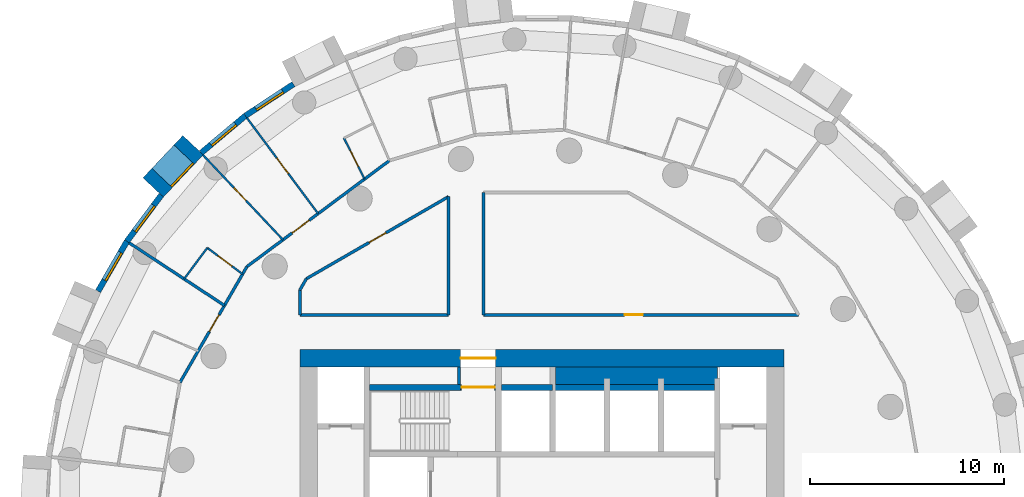
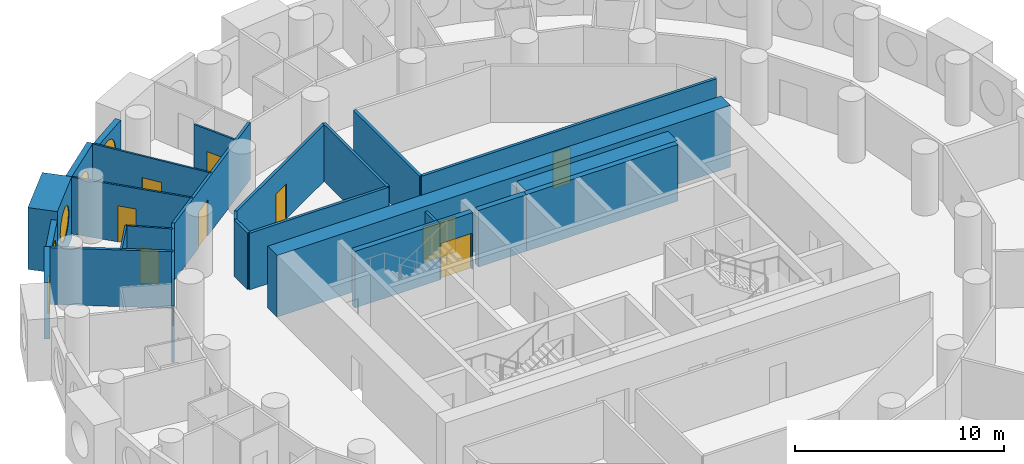
# One storey, part 6 of 10: 27 walls, 10 doors, 5 windows, 15 openings.
"""IFC4 building model written with IfcOpenShell, lengths in metres."""

from ifc_helpers import new_model, si_unit, direction, frame, frame_2d, origin, origin_2d, place, context, subcontext, project, spatial, rectangle, circle, extrude, material, layer, layer_set, type_object, element, fill, save


model = new_model("IFC4")

# Units and contexts
model_context = context("Model", 3, precision=1e-05, world=origin(), true_north=direction((0.0, 1.0)))
body_context = subcontext(model_context, "Body", "Model", "MODEL_VIEW")
ifc_project = project(units=[si_unit("LENGTHUNIT", "METRE"), si_unit("AREAUNIT", "SQUARE_METRE"), si_unit("VOLUMEUNIT", "CUBIC_METRE"), si_unit("PLANEANGLEUNIT", "RADIAN"), si_unit("MASSUNIT", "GRAM", prefix="KILO")], contexts=[model_context])

# Site, building, storey
site_placement = place(None, origin())
site = spatial("IfcSite", under=ifc_project, at=site_placement, CompositionType="ELEMENT")
building_placement = place(site_placement, origin())
building = spatial("IfcBuilding", under=site, at=building_placement, Name="Tracery Tower", CompositionType="ELEMENT")
storey_placement = place(building_placement, frame((0.0, 0.0, 136.800048828125)))
storey = spatial("IfcBuildingStorey", under=building, at=storey_placement, Name="L34", CompositionType="ELEMENT", Elevation=136.800048828125)

# Walls
ifc_material_1 = material(Name="Plasterboard on steel studs", Category="steel")
ifc_layer_1 = layer(ifc_material_1, 0.14990234375)
ifc_layer_set_1 = layer_set([ifc_layer_1], Name="Core room partition 150")
wall_type_1 = type_object("IfcWallType", Name="Core room partition 150", PredefinedType="SOLIDWALL", material=ifc_layer_set_1)
wall_1_placement = place(storey_placement, frame((-4.27490234375, 6.699951171875, 0.0), z_axis=(0.0, 0.0, 1.0), x_axis=(0.0, 1.0, 0.0)))
element("IfcWall", 1, at=wall_1_placement, inside=storey, type_object=wall_type_1, Name="L34 F N room", PredefinedType="SOLIDWALL", context=body_context, shape_type="SweptSolid", body=[
    extrude(rectangle(XDim=0.900146484375, YDim=0.14990234375, at=frame_2d((0.4501953125, 0.0))), origin(), (0.0, 0.0, 1.0), 3.300048828125),
])
ifc_material_2 = material(Name="Concrete C50/60", Category="concrete")
ifc_layer_2 = layer(ifc_material_2, 0.89990234375)
ifc_layer_set_2 = layer_set([ifc_layer_2], Name="Core strip wall 900 C50")
wall_type_2 = type_object("IfcWallType", Name="Core strip wall 900 C50", PredefinedType="SOLIDWALL", material=ifc_layer_set_2)
wall_2_placement = place(storey_placement, frame((0.699951171875, 7.14990234375, 0.0), z_axis=(0.0, 0.0, 1.0), x_axis=(1.0, 0.0, 0.0)))
element("IfcWall", 2, at=wall_2_placement, inside=storey, type_object=wall_type_2, Name="L34 F thick N E", PredefinedType="SOLIDWALL", context=body_context, shape_type="SweptSolid", body=[
    extrude(rectangle(XDim=8.35009765625, YDim=0.89990234375, at=frame_2d((4.175048828125, 0.0))), origin(), (0.0, 0.0, 1.0), 3.300048828125),
])

# Wall, opening, door
ifc_material_3 = material(Name="Concrete C50/60", Category="concrete")
ifc_layer_3 = layer(ifc_material_3, 0.89990234375)
ifc_layer_set_3 = layer_set([ifc_layer_3], Name="Core wall 900 C50")
wall_type_3 = type_object("IfcWallType", Name="Core wall 900 C50", PredefinedType="SOLIDWALL", material=ifc_layer_set_3)
wall_3_placement = place(storey_placement, frame((-12.5, 8.050048828125, 0.0), z_axis=(0.0, 0.0, 1.0), x_axis=(1.0, 0.0, 0.0)))
wall_3 = element("IfcWall", 3, at=wall_3_placement, inside=storey, type_object=wall_type_3, Name="L34 outer N", PredefinedType="SOLIDWALL", context=body_context, shape_type="SweptSolid", body=[
    extrude(rectangle(XDim=25.0, YDim=0.89990234375, at=frame_2d((12.5, 0.0))), origin(), (0.0, 0.0, 1.0), 3.599853515625),
])
opening_1_placement = place(wall_3_placement, frame((8.300048828125, 0.0, 0.0)))
opening_1 = element("IfcOpeningElement", 4, at=opening_1_placement, cuts=wall_3, Name="Opening KD13", PredefinedType="OPENING", context=body_context, shape_type="SweptSolid", body=[
    extrude(rectangle(XDim=1.800048828125, YDim=2.10009765625, at=frame_2d((0.89990234375, 1.050048828125))), frame((0.0, 0.449951171875, 0.0), z_axis=(0.0, -1.0, 0.0), x_axis=(1.0, 0.0, 0.0)), (0.0, 0.0, 1.0), 0.89990234375),
])
ifc_material_4 = material(Name="Steel fire door", Category="steel")
door_type_1 = type_object("IfcDoorType", Name="Core exit door 1800 double", OperationType="NOTDEFINED", PredefinedType="DOOR", material=ifc_material_4)
door_1_placement = place(opening_1_placement, origin())
door_1 = element("IfcDoor", 5, at=door_1_placement, inside=storey, type_object=door_type_1, Name="Core exit door", OperationType="DOUBLE_DOOR_SINGLE_SWING", OverallHeight=2.10009765625, OverallWidth=1.800048828125, PredefinedType="DOOR", context=body_context, shape_type="SweptSolid", body=[
    extrude(rectangle(XDim=1.800048828125, YDim=2.10009765625, at=frame_2d((0.89990234375, 1.050048828125))), frame((0.0, 0.02490234375, 0.0), z_axis=(0.0, -1.0, 0.0), x_axis=(1.0, 0.0, 0.0)), (0.0, 0.0, 1.0), 0.050048828125),
])
fill(opening_1, door_1)

# Wall, opening, window
ifc_material_5 = material(Name="Precast concrete C50/60", Category="concrete")
ifc_layer_4 = layer(ifc_material_5, 1.449951171875)
ifc_layer_set_4 = layer_set([ifc_layer_4], Name="Deep-set bay unit 3000 x 3600, slab edge 300")
wall_type_4 = type_object("IfcWallType", Name="Deep-set bay unit 3000 x 3600, slab edge 300", PredefinedType="ELEMENTEDWALL", material=ifc_layer_set_4)
wall_4_placement = place(storey_placement, frame((-18.0126953125, 19.05615234375, -0.300048828125), z_axis=(0.0, 0.0, 1.0), x_axis=(-0.686217177108, -0.727396718334, 0.0)))
wall_4 = element("IfcWall", 6, at=wall_4_placement, inside=storey, type_object=wall_type_4, Name="Deep-set bay unit 21 at L34", PredefinedType="ELEMENTEDWALL", context=body_context, shape_type="SweptSolid", body=[
    extrude(rectangle(XDim=3.0, YDim=1.449951171875, at=frame_2d((1.5, 0.0))), origin(), (0.0, 0.0, 1.0), 3.60009765625),
])
opening_2_placement = place(wall_4_placement, frame((1.5, 0.0, 1.85009765625)))
opening_2 = element("IfcOpeningElement", 7, at=opening_2_placement, cuts=wall_4, Name="Opening WN1", PredefinedType="OPENING", context=body_context, shape_type="SweptSolid", body=[
    extrude(circle(Radius=0.9000244140625, at=origin_2d()), frame((0.0, 0.73486328125, 0.0), z_axis=(0.0, -1.0, 0.0), x_axis=(1.0, 0.0, 0.0)), (0.0, 0.0, 1.0), 1.469970703125),
])
ifc_material_6 = material(Name="Aluminium frame with tinted double glazing", Category="aluminium")
window_type = type_object("IfcWindowType", Name="Round window 1800", PartitioningType="SINGLE_PANEL", PredefinedType="WINDOW", material=ifc_material_6)
window_1_placement = place(opening_2_placement, origin())
window_1 = element("IfcWindow", 8, at=window_1_placement, inside=storey, type_object=window_type, Name="Round window 21 at L34", OverallHeight=1.800048828125, OverallWidth=1.800048828125, PartitioningType="SINGLE_PANEL", PredefinedType="WINDOW", context=body_context, shape_type="SweptSolid", body=[
    extrude(circle(Radius=0.9000244140625, at=origin_2d()), frame((0.0, 0.69482421875, 0.0), z_axis=(0.0, -1.0, 0.0), x_axis=(1.0, 0.0, 0.0)), (0.0, 0.0, 1.0), 0.10009765625),
])
fill(opening_2, window_1)

ifc_material_7 = material(Name="Precast concrete C50/60", Category="concrete")
ifc_layer_5 = layer(ifc_material_7, 0.300048828125)
ifc_layer_set_5 = layer_set([ifc_layer_5], Name="Facade panel 3000 x 2800")
wall_type_5 = type_object("IfcWallType", Name="Facade panel 3000 x 2800", PredefinedType="SOLIDWALL", material=ifc_layer_set_5)
wall_5_placement = place(storey_placement, frame((-12.831787109375, 22.2060546875, 0.0), z_axis=(0.0, 0.0, 1.0), x_axis=(-0.835508361394, -0.54947773207, 0.0)))
wall_5 = element("IfcWall", 9, at=wall_5_placement, inside=storey, type_object=wall_type_5, Name="Facade panel 19 at L34", PredefinedType="SOLIDWALL", context=body_context, shape_type="SweptSolid", body=[
    extrude(rectangle(XDim=2.972900390625, YDim=0.300048828125, at=frame_2d((1.486328125, 0.0))), origin(), (0.0, 0.0, 1.0), 2.800048828125),
])
opening_3_placement = place(wall_5_placement, frame((1.486328125, 0.0, 1.5498046875)))
opening_3 = element("IfcOpeningElement", 10, at=opening_3_placement, cuts=wall_5, Name="Opening WN1", PredefinedType="OPENING", context=body_context, shape_type="SweptSolid", body=[
    extrude(circle(Radius=0.9000244140625, at=origin_2d()), frame((0.0, 0.159912109375, 0.0), z_axis=(0.0, -1.0, 0.0), x_axis=(1.0, 0.0, 0.0)), (0.0, 0.0, 1.0), 0.320068359375),
])
window_2_placement = place(opening_3_placement, origin())
window_2 = element("IfcWindow", 11, at=window_2_placement, inside=storey, type_object=window_type, Name="Round window 19 at L34", OverallHeight=1.800048828125, OverallWidth=1.800048828125, PartitioningType="SINGLE_PANEL", PredefinedType="WINDOW", context=body_context, shape_type="SweptSolid", body=[
    extrude(circle(Radius=0.9000244140625, at=origin_2d()), frame((0.0, 0.1201171875, 0.0), z_axis=(0.0, -1.0, 0.0), x_axis=(1.0, 0.0, 0.0)), (0.0, 0.0, 1.0), 0.10009765625),
])
fill(opening_3, window_2)

wall_6_placement = place(storey_placement, frame((-19.65283203125, 16.47802734375, 0.0), z_axis=(0.0, 0.0, 1.0), x_axis=(-0.597197580538, -0.80209416517, 0.0)))
wall_6 = element("IfcWall", 12, at=wall_6_placement, inside=storey, type_object=wall_type_5, Name="Facade panel 22 at L34", PredefinedType="SOLIDWALL", context=body_context, shape_type="SweptSolid", body=[
    extrude(rectangle(XDim=2.972900390625, YDim=0.300048828125, at=frame_2d((1.486328125, 0.0))), origin(), (0.0, 0.0, 1.0), 2.800048828125),
])
opening_4_placement = place(wall_6_placement, frame((1.486328125, 0.0, 1.5498046875)))
opening_4 = element("IfcOpeningElement", 13, at=opening_4_placement, cuts=wall_6, Name="Opening WN1", PredefinedType="OPENING", context=body_context, shape_type="SweptSolid", body=[
    extrude(circle(Radius=0.9000244140625, at=origin_2d()), frame((0.0, 0.159912109375, 0.0), z_axis=(0.0, -1.0, 0.0), x_axis=(1.0, 0.0, 0.0)), (0.0, 0.0, 1.0), 0.320068359375),
])
window_3_placement = place(opening_4_placement, origin())
window_3 = element("IfcWindow", 14, at=window_3_placement, inside=storey, type_object=window_type, Name="Round window 22 at L34", OverallHeight=1.800048828125, OverallWidth=1.800048828125, PartitioningType="SINGLE_PANEL", PredefinedType="WINDOW", context=body_context, shape_type="SweptSolid", body=[
    extrude(circle(Radius=0.9000244140625, at=origin_2d()), frame((0.0, 0.1201171875, 0.0), z_axis=(0.0, -1.0, 0.0), x_axis=(1.0, 0.0, 0.0)), (0.0, 0.0, 1.0), 0.10009765625),
])
fill(opening_4, window_3)

ifc_material_8 = material(Name="Precast concrete C50/60", Category="concrete")
ifc_layer_6 = layer(ifc_material_8, 0.300048828125)
ifc_layer_set_6 = layer_set([ifc_layer_6], Name="Facade panel 3000 x 3300")
wall_type_6 = type_object("IfcWallType", Name="Facade panel 3000 x 3300", PredefinedType="SOLIDWALL", material=ifc_layer_set_6)
wall_7_placement = place(storey_placement, frame((-15.315673828125, 20.572509765625, 0.0), z_axis=(0.0, 0.0, 1.0), x_axis=(-0.766008913364, -0.642829950023, 0.0)))
wall_7 = element("IfcWall", 15, at=wall_7_placement, inside=storey, type_object=wall_type_6, Name="Facade panel 20 at L34", PredefinedType="SOLIDWALL", context=body_context, shape_type="SweptSolid", body=[
    extrude(rectangle(XDim=2.972900390625, YDim=0.300048828125, at=frame_2d((1.486328125, 0.0))), origin(), (0.0, 0.0, 1.0), 3.300048828125),
])
opening_5_placement = place(wall_7_placement, frame((1.486328125, 0.0, 1.5498046875)))
opening_5 = element("IfcOpeningElement", 16, at=opening_5_placement, cuts=wall_7, Name="Opening WN1", PredefinedType="OPENING", context=body_context, shape_type="SweptSolid", body=[
    extrude(circle(Radius=0.9000244140625, at=origin_2d()), frame((0.0, 0.159912109375, 0.0), z_axis=(0.0, -1.0, 0.0), x_axis=(1.0, 0.0, 0.0)), (0.0, 0.0, 1.0), 0.320068359375),
])
window_4_placement = place(opening_5_placement, origin())
window_4 = element("IfcWindow", 17, at=window_4_placement, inside=storey, type_object=window_type, Name="Round window 20 at L34", OverallHeight=1.800048828125, OverallWidth=1.800048828125, PartitioningType="SINGLE_PANEL", PredefinedType="WINDOW", context=body_context, shape_type="SweptSolid", body=[
    extrude(circle(Radius=0.9000244140625, at=origin_2d()), frame((0.0, 0.1201171875, 0.0), z_axis=(0.0, -1.0, 0.0), x_axis=(1.0, 0.0, 0.0)), (0.0, 0.0, 1.0), 0.10009765625),
])
fill(opening_5, window_4)

wall_8_placement = place(storey_placement, frame((-21.42822265625, 14.093505859375, 0.0), z_axis=(0.0, 0.0, 1.0), x_axis=(-0.499954672104, -0.866051572276, 0.0)))
wall_8 = element("IfcWall", 18, at=wall_8_placement, inside=storey, type_object=wall_type_6, Name="Facade panel 23 at L34", PredefinedType="SOLIDWALL", context=body_context, shape_type="SweptSolid", body=[
    extrude(rectangle(XDim=2.972900390625, YDim=0.300048828125, at=frame_2d((1.486328125, 0.0))), origin(), (0.0, 0.0, 1.0), 3.300048828125),
])
opening_6_placement = place(wall_8_placement, frame((1.486328125, 0.0, 1.5498046875)))
opening_6 = element("IfcOpeningElement", 19, at=opening_6_placement, cuts=wall_8, Name="Opening WN1", PredefinedType="OPENING", context=body_context, shape_type="SweptSolid", body=[
    extrude(circle(Radius=0.9000244140625, at=origin_2d()), frame((0.0, 0.159912109375, 0.0), z_axis=(0.0, -1.0, 0.0), x_axis=(1.0, 0.0, 0.0)), (0.0, 0.0, 1.0), 0.320068359375),
])
window_5_placement = place(opening_6_placement, origin())
window_5 = element("IfcWindow", 20, at=window_5_placement, inside=storey, type_object=window_type, Name="Round window 23 at L34", OverallHeight=1.800048828125, OverallWidth=1.800048828125, PartitioningType="SINGLE_PANEL", PredefinedType="WINDOW", context=body_context, shape_type="SweptSolid", body=[
    extrude(circle(Radius=0.9000244140625, at=origin_2d()), frame((0.0, 0.1201171875, 0.0), z_axis=(0.0, -1.0, 0.0), x_axis=(1.0, 0.0, 0.0)), (0.0, 0.0, 1.0), 0.10009765625),
])
fill(opening_6, window_5)

# Wall, opening, door
ifc_material_9 = material(Name="Plasterboard on steel studs", Category="steel")
ifc_layer_7 = layer(ifc_material_9, 0.10009765625)
ifc_layer_set_7 = layer_set([ifc_layer_7], Name="Partition 100 stud")
wall_type_7 = type_object("IfcWallType", Name="Partition 100 stud", PredefinedType="PARTITIONING", material=ifc_layer_set_7)
wall_9_placement = place(storey_placement, frame((-15.22607421875, 20.451904296875, 0.0), z_axis=(0.0, 0.0, 1.0), x_axis=(0.597155230642, -0.802125694961, 0.0)))
wall_9 = element("IfcWall", 21, at=wall_9_placement, inside=storey, type_object=wall_type_7, Name="Stud partition RB2-053", PredefinedType="PARTITIONING", context=body_context, shape_type="SweptSolid", body=[
    extrude(rectangle(XDim=6.14599609375, YDim=0.10009765625, at=frame_2d((3.072998046875, 0.0))), origin(), (0.0, 0.0, 1.0), 3.300048828125),
])
opening_7_placement = place(wall_9_placement, frame((2.572998046875, 0.0, 0.0)))
opening_7 = element("IfcOpeningElement", 22, at=opening_7_placement, cuts=wall_9, Name="Opening RB2-14", PredefinedType="OPENING", context=body_context, shape_type="SweptSolid", body=[
    extrude(rectangle(XDim=1.0, YDim=2.0400390625, at=frame_2d((0.5, 1.02001953125))), frame((0.0, 0.050048828125, 0.0), z_axis=(0.0, -1.0, 0.0), x_axis=(1.0, 0.0, 0.0)), (0.0, 0.0, 1.0), 0.10009765625),
])
ifc_material_10 = material(Name="Timber door leaf", Category="wood")
door_type_2 = type_object("IfcDoorType", Name="Door communal room 1000", OperationType="NOTDEFINED", PredefinedType="DOOR", material=ifc_material_10)
door_2_placement = place(opening_7_placement, origin())
door_2 = element("IfcDoor", 23, at=door_2_placement, inside=storey, type_object=door_type_2, Name="Communal room door RB2-14", OperationType="SINGLE_SWING_LEFT", OverallHeight=2.0400390625, OverallWidth=1.0, PredefinedType="DOOR", context=body_context, shape_type="SweptSolid", body=[
    extrude(rectangle(XDim=1.0, YDim=2.0400390625, at=frame_2d((0.5, 1.02001953125))), frame((0.0, 0.02490234375, 0.0), z_axis=(0.0, -1.0, 0.0), x_axis=(1.0, 0.0, 0.0)), (0.0, 0.0, 1.0), 0.050048828125),
])
fill(opening_7, door_2)

wall_10_placement = place(storey_placement, frame((-17.4970703125, 18.5458984375, 0.0), z_axis=(0.0, 0.0, 1.0), x_axis=(0.68628608304, -0.72733170715, 0.0)))
wall_10 = element("IfcWall", 24, at=wall_10_placement, inside=storey, type_object=wall_type_7, Name="Stud partition RB2-057", PredefinedType="PARTITIONING", context=body_context, shape_type="SweptSolid", body=[
    extrude(rectangle(XDim=6.013427734375, YDim=0.10009765625, at=frame_2d((3.0068359375, 0.0))), origin(), (0.0, 0.0, 1.0), 3.300048828125),
])
opening_8_placement = place(wall_10_placement, frame((2.32080078125, 0.0, 0.0)))
opening_8 = element("IfcOpeningElement", 25, at=opening_8_placement, cuts=wall_10, Name="Opening RB2-18", PredefinedType="OPENING", context=body_context, shape_type="SweptSolid", body=[
    extrude(rectangle(XDim=0.89990234375, YDim=2.10009765625, at=frame_2d((0.449951171875, 1.050048828125))), frame((0.0, 0.050048828125, 0.0), z_axis=(0.0, -1.0, 0.0), x_axis=(1.0, 0.0, 0.0)), (0.0, 0.0, 1.0), 0.10009765625),
])
ifc_material_11 = material(Name="Timber door leaf", Category="wood")
door_type_3 = type_object("IfcDoorType", Name="Door bedroom 900", OperationType="NOTDEFINED", PredefinedType="DOOR", material=ifc_material_11)
door_3_placement = place(opening_8_placement, origin())
door_3 = element("IfcDoor", 26, at=door_3_placement, inside=storey, type_object=door_type_3, Name="Bedroom door RB2-18", OperationType="SINGLE_SWING_RIGHT", OverallHeight=2.10009765625, OverallWidth=0.89990234375, PredefinedType="DOOR", context=body_context, shape_type="SweptSolid", body=[
    extrude(rectangle(XDim=0.89990234375, YDim=2.10009765625, at=frame_2d((0.449951171875, 1.050048828125))), frame((0.0, 0.02490234375, 0.0), z_axis=(0.0, -1.0, 0.0), x_axis=(1.0, 0.0, 0.0)), (0.0, 0.0, 1.0), 0.050048828125),
])
fill(opening_8, door_3)

ifc_material_12 = material(Name="Plasterboard on steel studs", Category="steel")
ifc_layer_8 = layer(ifc_material_12, 0.10009765625)
ifc_layer_set_8 = layer_set([ifc_layer_8], Name="Partition 100 wet wall")
wall_type_8 = type_object("IfcWallType", Name="Partition 100 wet wall", PredefinedType="PARTITIONING", material=ifc_layer_set_8)
wall_11_placement = place(storey_placement, frame((-10.221923828125, 19.423095703125, 0.0), z_axis=(0.0, 0.0, 1.0), x_axis=(0.448862306063, -0.893600934532, 0.0)))
wall_11 = element("IfcWall", 27, at=wall_11_placement, inside=storey, type_object=wall_type_8, Name="Wet wall RB2-055", PredefinedType="PARTITIONING", context=body_context, shape_type="SweptSolid", body=[
    extrude(rectangle(XDim=2.3681640625, YDim=0.10009765625, at=frame_2d((1.18408203125, 0.0))), origin(), (0.0, 0.0, 1.0), 3.300048828125),
])
opening_9_placement = place(wall_11_placement, frame((0.73388671875, 0.0, 0.0)))
opening_9 = element("IfcOpeningElement", 28, at=opening_9_placement, cuts=wall_11, Name="Opening RB2-15", PredefinedType="OPENING", context=body_context, shape_type="SweptSolid", body=[
    extrude(rectangle(XDim=0.89990234375, YDim=2.0, at=frame_2d((0.449951171875, 1.0))), frame((0.0, 0.050048828125, 0.0), z_axis=(0.0, -1.0, 0.0), x_axis=(1.0, 0.0, 0.0)), (0.0, 0.0, 1.0), 0.10009765625),
])
ifc_material_13 = material(Name="Timber door leaf", Category="wood")
door_type_4 = type_object("IfcDoorType", Name="Door shower room 900", OperationType="NOTDEFINED", PredefinedType="DOOR", material=ifc_material_13)
door_4_placement = place(opening_9_placement, origin())
door_4 = element("IfcDoor", 29, at=door_4_placement, inside=storey, type_object=door_type_4, Name="Shower room door RB2-15", OperationType="SINGLE_SWING_LEFT", OverallHeight=2.0, OverallWidth=0.89990234375, PredefinedType="DOOR", context=body_context, shape_type="SweptSolid", body=[
    extrude(rectangle(XDim=0.89990234375, YDim=2.0, at=frame_2d((0.449951171875, 1.0))), frame((0.0, 0.02490234375, 0.0), z_axis=(0.0, -1.0, 0.0), x_axis=(1.0, 0.0, 0.0)), (0.0, 0.0, 1.0), 0.050048828125),
])
fill(opening_9, door_4)

wall_12_placement = place(storey_placement, frame((-17.278076171875, 13.757080078125, 0.0), z_axis=(0.0, 0.0, 1.0), x_axis=(0.802174554185, -0.597089595135, 0.0)))
wall_12 = element("IfcWall", 30, at=wall_12_placement, inside=storey, type_object=wall_type_8, Name="Wet wall RB2-061", PredefinedType="PARTITIONING", context=body_context, shape_type="SweptSolid", body=[
    extrude(rectangle(XDim=2.271240234375, YDim=0.10009765625, at=frame_2d((1.1357421875, 0.0))), origin(), (0.0, 0.0, 1.0), 3.300048828125),
])
opening_10_placement = place(wall_12_placement, frame((0.685302734375, 0.0, 0.0)))
opening_10 = element("IfcOpeningElement", 31, at=opening_10_placement, cuts=wall_12, Name="Opening RB2-19", PredefinedType="OPENING", context=body_context, shape_type="SweptSolid", body=[
    extrude(rectangle(XDim=0.89990234375, YDim=2.0400390625, at=frame_2d((0.449951171875, 1.02001953125))), frame((0.0, 0.050048828125, 0.0), z_axis=(0.0, -1.0, 0.0), x_axis=(1.0, 0.0, 0.0)), (0.0, 0.0, 1.0), 0.10009765625),
])
ifc_material_14 = material(Name="Timber door leaf", Category="wood")
door_type_5 = type_object("IfcDoorType", Name="Door en-suite 900", OperationType="NOTDEFINED", PredefinedType="DOOR", material=ifc_material_14)
door_5_placement = place(opening_10_placement, origin())
door_5 = element("IfcDoor", 32, at=door_5_placement, inside=storey, type_object=door_type_5, Name="En-suite door RB2-19", OperationType="SINGLE_SWING_RIGHT", OverallHeight=2.0400390625, OverallWidth=0.89990234375, PredefinedType="DOOR", context=body_context, shape_type="SweptSolid", body=[
    extrude(rectangle(XDim=0.89990234375, YDim=2.0400390625, at=frame_2d((0.449951171875, 1.02001953125))), frame((0.0, 0.02490234375, 0.0), z_axis=(0.0, -1.0, 0.0), x_axis=(1.0, 0.0, 0.0)), (0.0, 0.0, 1.0), 0.050048828125),
])
fill(opening_10, door_5)

# Walls
wall_13_placement = place(storey_placement, frame((-18.47412109375, 12.15087890625, 0.0), z_axis=(0.0, 0.0, 1.0), x_axis=(0.597246123016, 0.802058020683, 0.0)))
element("IfcWall", 33, at=wall_13_placement, inside=storey, type_object=wall_type_8, Name="Wet wall RB2-062", PredefinedType="PARTITIONING", context=body_context, shape_type="SweptSolid", body=[
    extrude(rectangle(XDim=2.002685546875, YDim=0.10009765625, at=frame_2d((1.00146484375, 0.0))), origin(), (0.0, 0.0, 1.0), 3.300048828125),
])
ifc_material_15 = material(Name="Plasterboard on steel studs", Category="steel")
ifc_layer_9 = layer(ifc_material_15, 0.14990234375)
ifc_layer_set_9 = layer_set([ifc_layer_9], Name="Partition 150 acoustic unit wall")
wall_type_9 = type_object("IfcWallType", Name="Partition 150 acoustic unit wall", PredefinedType="PARTITIONING", material=ifc_layer_set_9)
wall_14_placement = place(storey_placement, frame((-21.302978515625, 14.010986328125, 0.0), z_axis=(0.0, 0.0, 1.0), x_axis=(0.835566588395, -0.549389184785, 0.0)))
element("IfcWall", 34, at=wall_14_placement, inside=storey, type_object=wall_type_9, Name="Unit wall RB2-063", PredefinedType="PARTITIONING", context=body_context, shape_type="SweptSolid", body=[
    extrude(rectangle(XDim=5.878662109375, YDim=0.14990234375, at=frame_2d((2.939453125, 0.0))), origin(), (0.0, 0.0, 1.0), 3.300048828125),
])
ifc_material_16 = material(Name="Plasterboard on steel studs", Category="steel")
ifc_layer_10 = layer(ifc_material_16, 0.14990234375)
ifc_layer_set_10 = layer_set([ifc_layer_10], Name="Partition 150 corridor wall")
wall_type_10 = type_object("IfcWallType", Name="Partition 150 corridor wall", PredefinedType="PARTITIONING", material=ifc_layer_set_10)
wall_15_placement = place(storey_placement, frame((-12.50390625, 10.300048828125, 0.0), z_axis=(0.0, 0.0, 1.0), x_axis=(1.0, 0.0, 0.0)))
element("IfcWall", 35, at=wall_15_placement, inside=storey, type_object=wall_type_10, Name="Corridor wall RB2-001", PredefinedType="PARTITIONING", context=body_context, shape_type="SweptSolid", body=[
    extrude(rectangle(XDim=7.68701171875, YDim=0.14990234375, at=frame_2d((3.843505859375, 0.0))), origin(), (0.0, 0.0, 1.0), 3.300048828125),
])

# Wall, opening, door
wall_16_placement = place(storey_placement, frame((-3.02490234375, 10.300048828125, 0.0), z_axis=(0.0, 0.0, 1.0), x_axis=(1.0, 0.0, 0.0)))
wall_16 = element("IfcWall", 36, at=wall_16_placement, inside=storey, type_object=wall_type_10, Name="Corridor wall RB2-002", PredefinedType="PARTITIONING", context=body_context, shape_type="SweptSolid", body=[
    extrude(rectangle(XDim=16.261962890625, YDim=0.14990234375, at=frame_2d((8.130859375, 0.0))), origin(), (0.0, 0.0, 1.0), 3.300048828125),
])
opening_11_placement = place(wall_16_placement, frame((7.2880859375, 0.0, 0.0)))
opening_11 = element("IfcOpeningElement", 37, at=opening_11_placement, cuts=wall_16, Name="Opening RB2-02", PredefinedType="OPENING", context=body_context, shape_type="SweptSolid", body=[
    extrude(rectangle(XDim=0.949951171875, YDim=2.10009765625, at=frame_2d((0.47509765625, 1.050048828125))), frame((0.0, 0.074951171875, 0.0), z_axis=(0.0, -1.0, 0.0), x_axis=(1.0, 0.0, 0.0)), (0.0, 0.0, 1.0), 0.14990234375),
])
ifc_material_17 = material(Name="Timber door leaf", Category="wood")
door_type_6 = type_object("IfcDoorType", Name="Door store 950", OperationType="NOTDEFINED", PredefinedType="DOOR", material=ifc_material_17)
door_6_placement = place(opening_11_placement, origin())
door_6 = element("IfcDoor", 38, at=door_6_placement, inside=storey, type_object=door_type_6, Name="Store door RB2-02", OperationType="SINGLE_SWING_RIGHT", OverallHeight=2.10009765625, OverallWidth=0.949951171875, PredefinedType="DOOR", context=body_context, shape_type="SweptSolid", body=[
    extrude(rectangle(XDim=0.949951171875, YDim=2.10009765625, at=frame_2d((0.47509765625, 1.050048828125))), frame((0.0, 0.02490234375, 0.0), z_axis=(0.0, -1.0, 0.0), x_axis=(1.0, 0.0, 0.0)), (0.0, 0.0, 1.0), 0.050048828125),
])
fill(opening_11, door_6)

# Wall
wall_17_placement = place(storey_placement, frame((-4.821044921875, 10.300048828125, 0.0), z_axis=(0.0, 0.0, 1.0), x_axis=(0.0, 1.0, 0.0)))
element("IfcWall", 39, at=wall_17_placement, inside=storey, type_object=wall_type_10, Name="Corridor wall RB2-013", PredefinedType="PARTITIONING", context=body_context, shape_type="SweptSolid", body=[
    extrude(rectangle(XDim=6.100830078125, YDim=0.14990234375, at=frame_2d((3.05029296875, 0.0))), origin(), (0.0, 0.0, 1.0), 3.300048828125),
])

# Wall, opening, door
wall_18_placement = place(storey_placement, frame((-12.162109375, 12.162109375, 0.0), z_axis=(0.0, 0.0, 1.0), x_axis=(0.866004766557, 0.500035743023, 0.0)))
wall_18 = element("IfcWall", 40, at=wall_18_placement, inside=storey, type_object=wall_type_10, Name="Corridor wall RB2-014", PredefinedType="PARTITIONING", context=body_context, shape_type="SweptSolid", body=[
    extrude(rectangle(XDim=8.47705078125, YDim=0.14990234375, at=frame_2d((4.238525390625, 0.0))), origin(), (0.0, 0.0, 1.0), 3.300048828125),
])
opening_12_placement = place(wall_18_placement, frame((3.739013671875, 0.0, 0.0)))
opening_12 = element("IfcOpeningElement", 41, at=opening_12_placement, cuts=wall_18, Name="Opening RB2-01", PredefinedType="OPENING", context=body_context, shape_type="SweptSolid", body=[
    extrude(rectangle(XDim=1.0, YDim=2.0400390625, at=frame_2d((0.5, 1.02001953125))), frame((0.0, 0.074951171875, 0.0), z_axis=(0.0, -1.0, 0.0), x_axis=(1.0, 0.0, 0.0)), (0.0, 0.0, 1.0), 0.14990234375),
])
door_7_placement = place(opening_12_placement, origin())
door_7 = element("IfcDoor", 42, at=door_7_placement, inside=storey, type_object=door_type_2, Name="Communal room door RB2-01", OperationType="SINGLE_SWING_LEFT", OverallHeight=2.0400390625, OverallWidth=1.0, PredefinedType="DOOR", context=body_context, shape_type="SweptSolid", body=[
    extrude(rectangle(XDim=1.0, YDim=2.0400390625, at=frame_2d((0.5, 1.02001953125))), frame((0.0, 0.02490234375, 0.0), z_axis=(0.0, -1.0, 0.0), x_axis=(1.0, 0.0, 0.0)), (0.0, 0.0, 1.0), 0.050048828125),
])
fill(opening_12, door_7)

# Wall
wall_19_placement = place(storey_placement, frame((-3.02099609375, 10.300048828125, 0.0), z_axis=(0.0, 0.0, 1.0), x_axis=(0.0, 1.0, 0.0)))
element("IfcWall", 43, at=wall_19_placement, inside=storey, type_object=wall_type_10, Name="Corridor wall RB2-017", PredefinedType="PARTITIONING", context=body_context, shape_type="SweptSolid", body=[
    extrude(rectangle(XDim=6.31396484375, YDim=0.14990234375, at=frame_2d((3.156982421875, 0.0))), origin(), (0.0, 0.0, 1.0), 3.300048828125),
])

# Wall, opening, door
wall_20_placement = place(storey_placement, frame((-15.235107421875, 12.7841796875, 0.0), z_axis=(0.0, 0.0, 1.0), x_axis=(0.802226995744, 0.597019134785, 0.0)))
wall_20 = element("IfcWall", 44, at=wall_20_placement, inside=storey, type_object=wall_type_10, Name="Corridor wall RB2-020", PredefinedType="PARTITIONING", context=body_context, shape_type="SweptSolid", body=[
    extrude(rectangle(XDim=9.1728515625, YDim=0.14990234375, at=frame_2d((4.58642578125, 0.0))), origin(), (0.0, 0.0, 1.0), 3.300048828125),
])
opening_13_placement = place(wall_20_placement, frame((2.905517578125, 0.0, 0.0)))
opening_13 = element("IfcOpeningElement", 45, at=opening_13_placement, cuts=wall_20, Name="Opening RB2-13", PredefinedType="OPENING", context=body_context, shape_type="SweptSolid", body=[
    extrude(rectangle(XDim=1.10009765625, YDim=2.10009765625, at=frame_2d((0.550048828125, 1.050048828125))), frame((0.0, 0.074951171875, 0.0), z_axis=(0.0, -1.0, 0.0), x_axis=(1.0, 0.0, 0.0)), (0.0, 0.0, 1.0), 0.14990234375),
])
ifc_material_18 = material(Name="Timber door leaf", Category="wood")
door_type_7 = type_object("IfcDoorType", Name="Door cluster entrance 1100", OperationType="NOTDEFINED", PredefinedType="DOOR", material=ifc_material_18)
door_8_placement = place(opening_13_placement, origin())
door_8 = element("IfcDoor", 46, at=door_8_placement, inside=storey, type_object=door_type_7, Name="Cluster entrance door RB2-13", OperationType="SINGLE_SWING_RIGHT", OverallHeight=2.10009765625, OverallWidth=1.10009765625, PredefinedType="DOOR", context=body_context, shape_type="SweptSolid", body=[
    extrude(rectangle(XDim=1.10009765625, YDim=2.10009765625, at=frame_2d((0.550048828125, 1.050048828125))), frame((0.0, 0.02490234375, 0.0), z_axis=(0.0, -1.0, 0.0), x_axis=(1.0, 0.0, 0.0)), (0.0, 0.0, 1.0), 0.050048828125),
])
fill(opening_13, door_8)

# Walls
wall_21_placement = place(storey_placement, frame((-12.5, 11.576904296875, 0.0), z_axis=(0.0, 0.0, 1.0), x_axis=(0.500024767483, 0.866011103799, 0.0)))
element("IfcWall", 47, at=wall_21_placement, inside=storey, type_object=wall_type_10, Name="Corridor wall RB2-022", PredefinedType="PARTITIONING", context=body_context, shape_type="SweptSolid", body=[
    extrude(rectangle(XDim=0.67578125, YDim=0.14990234375, at=frame_2d((0.337890625, 0.0))), origin(), (0.0, 0.0, 1.0), 3.300048828125),
])
wall_22_placement = place(storey_placement, frame((-12.5, 10.300048828125, 0.0), z_axis=(0.0, 0.0, 1.0), x_axis=(0.0, 1.0, 0.0)))
element("IfcWall", 48, at=wall_22_placement, inside=storey, type_object=wall_type_10, Name="Corridor wall RB2-023", PredefinedType="PARTITIONING", context=body_context, shape_type="SweptSolid", body=[
    extrude(rectangle(XDim=1.27685546875, YDim=0.14990234375, at=frame_2d((0.638427734375, 0.0))), origin(), (0.0, 0.0, 1.0), 3.300048828125),
])

# Wall, opening, door
wall_23_placement = place(storey_placement, frame((-18.690185546875, 6.80322265625, 0.0), z_axis=(0.0, 0.0, 1.0), x_axis=(0.500229307554, 0.865892972523, 0.0)))
wall_23 = element("IfcWall", 49, at=wall_23_placement, inside=storey, type_object=wall_type_10, Name="Corridor wall RB2-026", PredefinedType="PARTITIONING", context=body_context, shape_type="SweptSolid", body=[
    extrude(rectangle(XDim=6.906982421875, YDim=0.14990234375, at=frame_2d((3.45361328125, 0.0))), origin(), (0.0, 0.0, 1.0), 3.300048828125),
])
opening_14_placement = place(wall_23_placement, frame((3.0400390625, 0.0, 0.0)))
opening_14 = element("IfcOpeningElement", 50, at=opening_14_placement, cuts=wall_23, Name="Opening RB2-21", PredefinedType="OPENING", context=body_context, shape_type="SweptSolid", body=[
    extrude(rectangle(XDim=1.0, YDim=2.10009765625, at=frame_2d((0.5, 1.050048828125))), frame((0.0, 0.074951171875, 0.0), z_axis=(0.0, -1.0, 0.0), x_axis=(1.0, 0.0, 0.0)), (0.0, 0.0, 1.0), 0.14990234375),
])
ifc_material_19 = material(Name="Timber door leaf", Category="wood")
door_type_8 = type_object("IfcDoorType", Name="Door unit entrance 1000", OperationType="NOTDEFINED", PredefinedType="DOOR", material=ifc_material_19)
door_9_placement = place(opening_14_placement, origin())
door_9 = element("IfcDoor", 51, at=door_9_placement, inside=storey, type_object=door_type_8, Name="Unit entrance door RB2-21", OperationType="SINGLE_SWING_RIGHT", OverallHeight=2.10009765625, OverallWidth=1.0, PredefinedType="DOOR", context=body_context, shape_type="SweptSolid", body=[
    extrude(rectangle(XDim=1.0, YDim=2.10009765625, at=frame_2d((0.5, 1.050048828125))), frame((0.0, 0.02490234375, 0.0), z_axis=(0.0, -1.0, 0.0), x_axis=(1.0, 0.0, 0.0)), (0.0, 0.0, 1.0), 0.050048828125),
])
fill(opening_14, door_9)

# Wall
ifc_material_20 = material(Name="Concrete C50/60", Category="concrete")
ifc_layer_11 = layer(ifc_material_20, 0.300048828125)
ifc_layer_set_11 = layer_set([ifc_layer_11], Name="Stair wall 300 C50")
wall_type_11 = type_object("IfcWallType", Name="Stair wall 300 C50", PredefinedType="SOLIDWALL", material=ifc_layer_set_11)
wall_24_placement = place(storey_placement, frame((-8.89990234375, 6.550048828125, 0.0), z_axis=(0.0, 0.0, 1.0), x_axis=(1.0, 0.0, 0.0)))
element("IfcWall", 52, at=wall_24_placement, inside=storey, type_object=wall_type_11, Name="L34 F N W", PredefinedType="SOLIDWALL", context=body_context, shape_type="SweptSolid", body=[
    extrude(rectangle(XDim=4.699951171875, YDim=0.300048828125, at=frame_2d((2.35009765625, 0.0))), origin(), (0.0, 0.0, 1.0), 3.300048828125),
])

# Wall, opening, door
wall_25_placement = place(storey_placement, frame((-4.199951171875, 6.550048828125, 0.0), z_axis=(0.0, 0.0, 1.0), x_axis=(1.0, 0.0, 0.0)))
wall_25 = element("IfcWall", 53, at=wall_25_placement, inside=storey, type_object=wall_type_11, Name="L34 F stair N", PredefinedType="SOLIDWALL", context=body_context, shape_type="SweptSolid", body=[
    extrude(rectangle(XDim=1.800048828125, YDim=0.300048828125, at=frame_2d((0.89990234375, 0.0))), origin(), (0.0, 0.0, 1.0), 3.300048828125),
])
opening_15_placement = place(wall_25_placement, frame((0.050048828125, 0.0, 0.0)))
opening_15 = element("IfcOpeningElement", 54, at=opening_15_placement, cuts=wall_25, Name="Opening KD3", PredefinedType="OPENING", context=body_context, shape_type="SweptSolid", body=[
    extrude(rectangle(XDim=1.699951171875, YDim=2.10009765625, at=frame_2d((0.85009765625, 1.050048828125))), frame((0.0, 0.14990234375, 0.0), z_axis=(0.0, -1.0, 0.0), x_axis=(1.0, 0.0, 0.0)), (0.0, 0.0, 1.0), 0.300048828125),
])
ifc_material_21 = material(Name="Steel fire door", Category="steel")
door_type_9 = type_object("IfcDoorType", Name="Core stair door 1700 double", OperationType="NOTDEFINED", PredefinedType="DOOR", material=ifc_material_21)
door_10_placement = place(opening_15_placement, origin())
door_10 = element("IfcDoor", 55, at=door_10_placement, inside=storey, type_object=door_type_9, Name="Stair door vest", OperationType="DOUBLE_DOOR_SINGLE_SWING", OverallHeight=2.10009765625, OverallWidth=1.699951171875, PredefinedType="DOOR", context=body_context, shape_type="SweptSolid", body=[
    extrude(rectangle(XDim=1.699951171875, YDim=2.10009765625, at=frame_2d((0.85009765625, 1.050048828125))), frame((0.0, 0.02490234375, 0.0), z_axis=(0.0, -1.0, 0.0), x_axis=(1.0, 0.0, 0.0)), (0.0, 0.0, 1.0), 0.050048828125),
])
fill(opening_15, door_10)

# Walls
wall_26_placement = place(storey_placement, frame((-2.10009765625, 6.550048828125, 0.0), z_axis=(0.0, 0.0, 1.0), x_axis=(1.0, 0.0, 0.0)))
element("IfcWall", 56, at=wall_26_placement, inside=storey, type_object=wall_type_11, Name="L34 F N E1", PredefinedType="SOLIDWALL", context=body_context, shape_type="SweptSolid", body=[
    extrude(rectangle(XDim=2.650146484375, YDim=0.300048828125, at=frame_2d((1.3251953125, 0.0))), origin(), (0.0, 0.0, 1.0), 3.300048828125),
])
wall_27_placement = place(storey_placement, frame((0.550048828125, 6.550048828125, 0.0), z_axis=(0.0, 0.0, 1.0), x_axis=(1.0, 0.0, 0.0)))
element("IfcWall", 57, at=wall_27_placement, inside=storey, type_object=wall_type_11, Name="L34 F stair strip N E", PredefinedType="SOLIDWALL", context=body_context, shape_type="SweptSolid", body=[
    extrude(rectangle(XDim=8.349853515625, YDim=0.300048828125, at=frame_2d((4.1748046875, 0.0))), origin(), (0.0, 0.0, 1.0), 3.300048828125),
])

save(model, "model.ifc")
